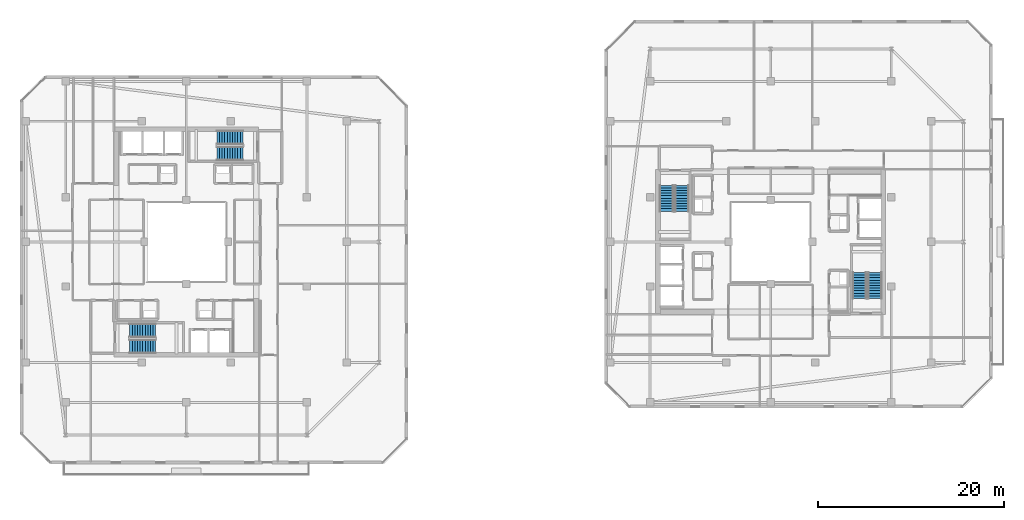
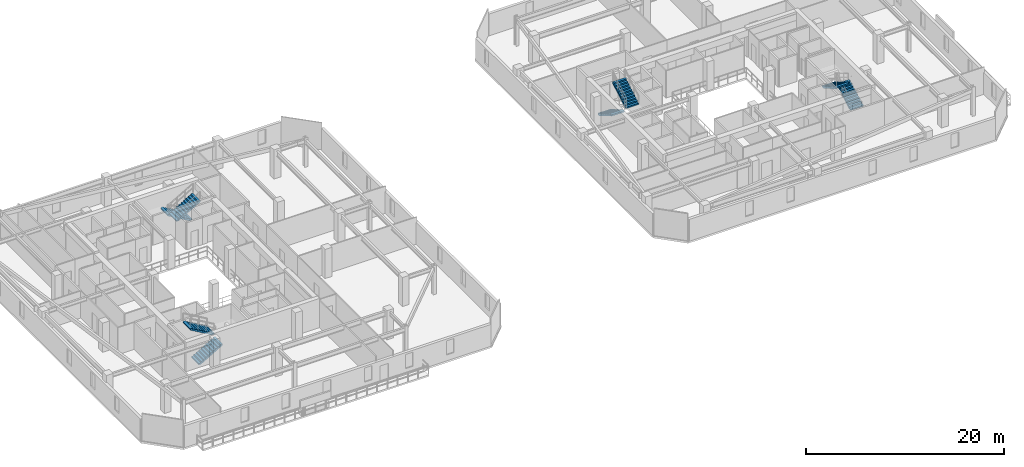
# One storey, part 29 of 35: 8 stair flights, 4 elements without a shape of their own.
"""IFC4 building model written with IfcOpenShell, lengths in metres."""

from ifc_helpers import new_model, si_unit, direction, frame, origin, place, context, subcontext, project, spatial, polyline, outline, extrude, material, type_object, element, aggregate, save


model = new_model("IFC4")

# Units and contexts
model_context = context("Model", 3, precision=1e-05, world=origin(), true_north=direction((0.0, 1.0)))
body_context = subcontext(model_context, "Body", "Model", "MODEL_VIEW")
ifc_project = project(units=[si_unit("LENGTHUNIT", "METRE"), si_unit("AREAUNIT", "SQUARE_METRE"), si_unit("VOLUMEUNIT", "CUBIC_METRE"), si_unit("PLANEANGLEUNIT", "RADIAN"), si_unit("MASSUNIT", "GRAM", prefix="KILO")], contexts=[model_context])

# Site, building, storey
site_placement = place(None, origin())
site = spatial("IfcSite", under=ifc_project, at=site_placement, CompositionType="ELEMENT")
building_placement = place(site_placement, origin())
building = spatial("IfcBuilding", under=site, at=building_placement, Name="Thornwick Lancets Civic Towers", CompositionType="ELEMENT")
storey_placement = place(building_placement, frame((0.0, 0.0, 269.10009765625)))
storey = spatial("IfcBuildingStorey", under=building, at=storey_placement, Name="L72", CompositionType="ELEMENT", Elevation=269.10009765625)

# Stair, stair flights
ifc_material = material(Name="Concrete C40/50", Category="concrete")
stair_type = type_object("IfcStairType", Name="STAIR_DL_3600", PredefinedType="HALF_TURN_STAIR", material=ifc_material)
stair_1_placement = place(storey_placement, origin())
stair_1 = element("IfcStair", 1, at=stair_1_placement, inside=storey, type_object=stair_type, Name="L72 Tower A South Exit Stair ST-A1", PredefinedType="HALF_TURN_STAIR")
stair_flight_type = type_object("IfcStairFlightType", Name="FLIGHT_3600", PredefinedType="STRAIGHT", material=ifc_material)
stair_flight_1_placement = place(storey_placement, frame((19.39990234375, 15.75, 0.0), z_axis=(0.0, 0.0, 1.0), x_axis=(1.0, 0.0, 0.0)))
stair_flight_1 = element("IfcStairFlight", 2, at=stair_flight_1_placement, type_object=stair_flight_type, Name="ST-A1 flight 1", NumberOfRisers=11, NumberOfTreads=10, PredefinedType="STRAIGHT", RiserHeight=0.163636364, TreadLength=0.28, context=body_context, shape_type="SweptSolid", body=[
    extrude(outline(polyline([(0.0, 0.0), (0.0, 0.16357421875), (0.280029296875, 0.16357421875), (0.280029296875, 0.327392578125), (0.56005859375, 0.327392578125), (0.56005859375, 0.490966796875), (0.840087890625, 0.490966796875), (0.840087890625, 0.654541015625), (1.1201171875, 0.654541015625), (1.1201171875, 0.818115234375), (1.39990234375, 0.818115234375), (1.39990234375, 0.98193359375), (1.679931640625, 0.98193359375), (1.679931640625, 1.1455078125), (1.9599609375, 1.1455078125), (1.9599609375, 1.30908203125), (2.239990234375, 1.30908203125), (2.239990234375, 1.47265625), (2.52001953125, 1.47265625), (2.52001953125, 1.636474609375), (2.800048828125, 1.636474609375), (2.800048828125, 1.800048828125), (2.800048828125, 1.462646484375), (0.297119140625, 0.0), (0.0, 0.0)])), frame((0.0, 0.75, 0.0), z_axis=(0.0, -1.0, 0.0), x_axis=(1.0, 0.0, 0.0)), (0.0, 0.0, 1.0), 1.5),
])
stair_flight_2_placement = place(storey_placement, frame((22.199951171875, 17.449951171875, 1.7998046875), z_axis=(0.0, 0.0, 1.0), x_axis=(-1.0, 0.0, 0.0)))
stair_flight_2 = element("IfcStairFlight", 3, at=stair_flight_2_placement, type_object=stair_flight_type, Name="ST-A1 flight 2", NumberOfRisers=11, NumberOfTreads=10, PredefinedType="STRAIGHT", RiserHeight=0.163636364, TreadLength=0.28, context=body_context, shape_type="SweptSolid", body=[
    extrude(outline(polyline([(0.0, 0.0), (0.0, 0.16357421875), (0.280029296875, 0.16357421875), (0.280029296875, 0.327392578125), (0.56005859375, 0.327392578125), (0.56005859375, 0.490966796875), (0.840087890625, 0.490966796875), (0.840087890625, 0.654541015625), (1.1201171875, 0.654541015625), (1.1201171875, 0.818115234375), (1.39990234375, 0.818115234375), (1.39990234375, 0.98193359375), (1.679931640625, 0.98193359375), (1.679931640625, 1.1455078125), (1.9599609375, 1.1455078125), (1.9599609375, 1.30908203125), (2.239990234375, 1.30908203125), (2.239990234375, 1.47265625), (2.52001953125, 1.47265625), (2.52001953125, 1.636474609375), (2.800048828125, 1.636474609375), (2.800048828125, 1.800048828125), (2.800048828125, 1.462646484375), (0.297119140625, 0.0), (0.0, 0.0)])), frame((0.0, 0.75, 0.0), z_axis=(0.0, -1.0, 0.0), x_axis=(1.0, 0.0, 0.0)), (0.0, 0.0, 1.0), 1.5),
])
aggregate(stair_1, [stair_flight_1, stair_flight_2])

stair_2_placement = place(storey_placement, origin())
stair_2 = element("IfcStair", 4, at=stair_2_placement, inside=storey, type_object=stair_type, Name="L72 Tower A North Exit Stair ST-A2", PredefinedType="HALF_TURN_STAIR")
stair_flight_3_placement = place(storey_placement, frame((31.60009765625, 38.25, 0.0), z_axis=(0.0, 0.0, 1.0), x_axis=(-1.0, 0.0, 0.0)))
stair_flight_3 = element("IfcStairFlight", 5, at=stair_flight_3_placement, type_object=stair_flight_type, Name="ST-A2 flight 1", NumberOfRisers=11, NumberOfTreads=10, PredefinedType="STRAIGHT", RiserHeight=0.163636364, TreadLength=0.28, context=body_context, shape_type="SweptSolid", body=[
    extrude(outline(polyline([(0.0, 0.0), (0.0, 0.16357421875), (0.280029296875, 0.16357421875), (0.280029296875, 0.327392578125), (0.56005859375, 0.327392578125), (0.56005859375, 0.490966796875), (0.840087890625, 0.490966796875), (0.840087890625, 0.654541015625), (1.1201171875, 0.654541015625), (1.1201171875, 0.818115234375), (1.39990234375, 0.818115234375), (1.39990234375, 0.98193359375), (1.679931640625, 0.98193359375), (1.679931640625, 1.1455078125), (1.9599609375, 1.1455078125), (1.9599609375, 1.30908203125), (2.239990234375, 1.30908203125), (2.239990234375, 1.47265625), (2.52001953125, 1.47265625), (2.52001953125, 1.636474609375), (2.800048828125, 1.636474609375), (2.800048828125, 1.800048828125), (2.800048828125, 1.462646484375), (0.297119140625, 0.0), (0.0, 0.0)])), frame((0.0, 0.75, 0.0), z_axis=(0.0, -1.0, 0.0), x_axis=(1.0, 0.0, 0.0)), (0.0, 0.0, 1.0), 1.5),
])
stair_flight_4_placement = place(storey_placement, frame((28.800048828125, 36.550048828125, 1.7998046875), z_axis=(0.0, 0.0, 1.0), x_axis=(1.0, 0.0, 0.0)))
stair_flight_4 = element("IfcStairFlight", 6, at=stair_flight_4_placement, type_object=stair_flight_type, Name="ST-A2 flight 2", NumberOfRisers=11, NumberOfTreads=10, PredefinedType="STRAIGHT", RiserHeight=0.163636364, TreadLength=0.28, context=body_context, shape_type="SweptSolid", body=[
    extrude(outline(polyline([(0.0, 0.0), (0.0, 0.16357421875), (0.280029296875, 0.16357421875), (0.280029296875, 0.327392578125), (0.56005859375, 0.327392578125), (0.56005859375, 0.490966796875), (0.840087890625, 0.490966796875), (0.840087890625, 0.654541015625), (1.1201171875, 0.654541015625), (1.1201171875, 0.818115234375), (1.39990234375, 0.818115234375), (1.39990234375, 0.98193359375), (1.679931640625, 0.98193359375), (1.679931640625, 1.1455078125), (1.9599609375, 1.1455078125), (1.9599609375, 1.30908203125), (2.239990234375, 1.30908203125), (2.239990234375, 1.47265625), (2.52001953125, 1.47265625), (2.52001953125, 1.636474609375), (2.800048828125, 1.636474609375), (2.800048828125, 1.800048828125), (2.800048828125, 1.462646484375), (0.297119140625, 0.0), (0.0, 0.0)])), frame((0.0, 0.75, 0.0), z_axis=(0.0, -1.0, 0.0), x_axis=(1.0, 0.0, 0.0)), (0.0, 0.0, 1.0), 1.5),
])
aggregate(stair_2, [stair_flight_3, stair_flight_4])

stair_3_placement = place(storey_placement, origin())
stair_3 = element("IfcStair", 7, at=stair_3_placement, inside=storey, type_object=stair_type, Name="L72 Tower B East Exit Stair ST-B1", PredefinedType="HALF_TURN_STAIR")
stair_flight_5_placement = place(storey_placement, frame((99.75, 20.89990234375, 0.0), z_axis=(0.0, 0.0, 1.0), x_axis=(0.0, 1.0, 0.0)))
stair_flight_5 = element("IfcStairFlight", 8, at=stair_flight_5_placement, type_object=stair_flight_type, Name="ST-B1 flight 1", NumberOfRisers=11, NumberOfTreads=10, PredefinedType="STRAIGHT", RiserHeight=0.163636364, TreadLength=0.28, context=body_context, shape_type="SweptSolid", body=[
    extrude(outline(polyline([(0.0, 0.0), (0.0, 0.16357421875), (0.280029296875, 0.16357421875), (0.280029296875, 0.327392578125), (0.56005859375, 0.327392578125), (0.56005859375, 0.490966796875), (0.840087890625, 0.490966796875), (0.840087890625, 0.654541015625), (1.1201171875, 0.654541015625), (1.1201171875, 0.818115234375), (1.39990234375, 0.818115234375), (1.39990234375, 0.98193359375), (1.679931640625, 0.98193359375), (1.679931640625, 1.1455078125), (1.9599609375, 1.1455078125), (1.9599609375, 1.30908203125), (2.239990234375, 1.30908203125), (2.239990234375, 1.47265625), (2.52001953125, 1.47265625), (2.52001953125, 1.636474609375), (2.800048828125, 1.636474609375), (2.800048828125, 1.800048828125), (2.800048828125, 1.462646484375), (0.297119140625, 0.0), (0.0, 0.0)])), frame((0.0, 0.75, 0.0), z_axis=(0.0, -1.0, 0.0), x_axis=(1.0, 0.0, 0.0)), (0.0, 0.0, 1.0), 1.5),
])
stair_flight_6_placement = place(storey_placement, frame((98.050048828125, 23.699951171875, 1.7998046875), z_axis=(0.0, 0.0, 1.0), x_axis=(0.0, -1.0, 0.0)))
stair_flight_6 = element("IfcStairFlight", 9, at=stair_flight_6_placement, type_object=stair_flight_type, Name="ST-B1 flight 2", NumberOfRisers=11, NumberOfTreads=10, PredefinedType="STRAIGHT", RiserHeight=0.163636364, TreadLength=0.28, context=body_context, shape_type="SweptSolid", body=[
    extrude(outline(polyline([(0.0, 0.0), (0.0, 0.16357421875), (0.280029296875, 0.16357421875), (0.280029296875, 0.327392578125), (0.56005859375, 0.327392578125), (0.56005859375, 0.490966796875), (0.840087890625, 0.490966796875), (0.840087890625, 0.654541015625), (1.1201171875, 0.654541015625), (1.1201171875, 0.818115234375), (1.39990234375, 0.818115234375), (1.39990234375, 0.98193359375), (1.679931640625, 0.98193359375), (1.679931640625, 1.1455078125), (1.9599609375, 1.1455078125), (1.9599609375, 1.30908203125), (2.239990234375, 1.30908203125), (2.239990234375, 1.47265625), (2.52001953125, 1.47265625), (2.52001953125, 1.636474609375), (2.800048828125, 1.636474609375), (2.800048828125, 1.800048828125), (2.800048828125, 1.462646484375), (0.297119140625, 0.0), (0.0, 0.0)])), frame((0.0, 0.75, 0.0), z_axis=(0.0, -1.0, 0.0), x_axis=(1.0, 0.0, 0.0)), (0.0, 0.0, 1.0), 1.5),
])
aggregate(stair_3, [stair_flight_5, stair_flight_6])

stair_4_placement = place(storey_placement, origin())
stair_4 = element("IfcStair", 10, at=stair_4_placement, inside=storey, type_object=stair_type, Name="L72 Tower B West Exit Stair ST-B2", PredefinedType="HALF_TURN_STAIR")
stair_flight_7_placement = place(storey_placement, frame((77.25, 33.10009765625, 0.0), z_axis=(0.0, 0.0, 1.0), x_axis=(0.0, -1.0, 0.0)))
stair_flight_7 = element("IfcStairFlight", 11, at=stair_flight_7_placement, type_object=stair_flight_type, Name="ST-B2 flight 1", NumberOfRisers=11, NumberOfTreads=10, PredefinedType="STRAIGHT", RiserHeight=0.163636364, TreadLength=0.28, context=body_context, shape_type="SweptSolid", body=[
    extrude(outline(polyline([(0.0, 0.0), (0.0, 0.16357421875), (0.280029296875, 0.16357421875), (0.280029296875, 0.327392578125), (0.56005859375, 0.327392578125), (0.56005859375, 0.490966796875), (0.840087890625, 0.490966796875), (0.840087890625, 0.654541015625), (1.1201171875, 0.654541015625), (1.1201171875, 0.818115234375), (1.39990234375, 0.818115234375), (1.39990234375, 0.98193359375), (1.679931640625, 0.98193359375), (1.679931640625, 1.1455078125), (1.9599609375, 1.1455078125), (1.9599609375, 1.30908203125), (2.239990234375, 1.30908203125), (2.239990234375, 1.47265625), (2.52001953125, 1.47265625), (2.52001953125, 1.636474609375), (2.800048828125, 1.636474609375), (2.800048828125, 1.800048828125), (2.800048828125, 1.462646484375), (0.297119140625, 0.0), (0.0, 0.0)])), frame((0.0, 0.75, 0.0), z_axis=(0.0, -1.0, 0.0), x_axis=(1.0, 0.0, 0.0)), (0.0, 0.0, 1.0), 1.5),
])
stair_flight_8_placement = place(storey_placement, frame((78.949951171875, 30.300048828125, 1.7998046875), z_axis=(0.0, 0.0, 1.0), x_axis=(0.0, 1.0, 0.0)))
stair_flight_8 = element("IfcStairFlight", 12, at=stair_flight_8_placement, type_object=stair_flight_type, Name="ST-B2 flight 2", NumberOfRisers=11, NumberOfTreads=10, PredefinedType="STRAIGHT", RiserHeight=0.163636364, TreadLength=0.28, context=body_context, shape_type="SweptSolid", body=[
    extrude(outline(polyline([(0.0, 0.0), (0.0, 0.16357421875), (0.280029296875, 0.16357421875), (0.280029296875, 0.327392578125), (0.56005859375, 0.327392578125), (0.56005859375, 0.490966796875), (0.840087890625, 0.490966796875), (0.840087890625, 0.654541015625), (1.1201171875, 0.654541015625), (1.1201171875, 0.818115234375), (1.39990234375, 0.818115234375), (1.39990234375, 0.98193359375), (1.679931640625, 0.98193359375), (1.679931640625, 1.1455078125), (1.9599609375, 1.1455078125), (1.9599609375, 1.30908203125), (2.239990234375, 1.30908203125), (2.239990234375, 1.47265625), (2.52001953125, 1.47265625), (2.52001953125, 1.636474609375), (2.800048828125, 1.636474609375), (2.800048828125, 1.800048828125), (2.800048828125, 1.462646484375), (0.297119140625, 0.0), (0.0, 0.0)])), frame((0.0, 0.75, 0.0), z_axis=(0.0, -1.0, 0.0), x_axis=(1.0, 0.0, 0.0)), (0.0, 0.0, 1.0), 1.5),
])
aggregate(stair_4, [stair_flight_7, stair_flight_8])

save(model, "model.ifc")
